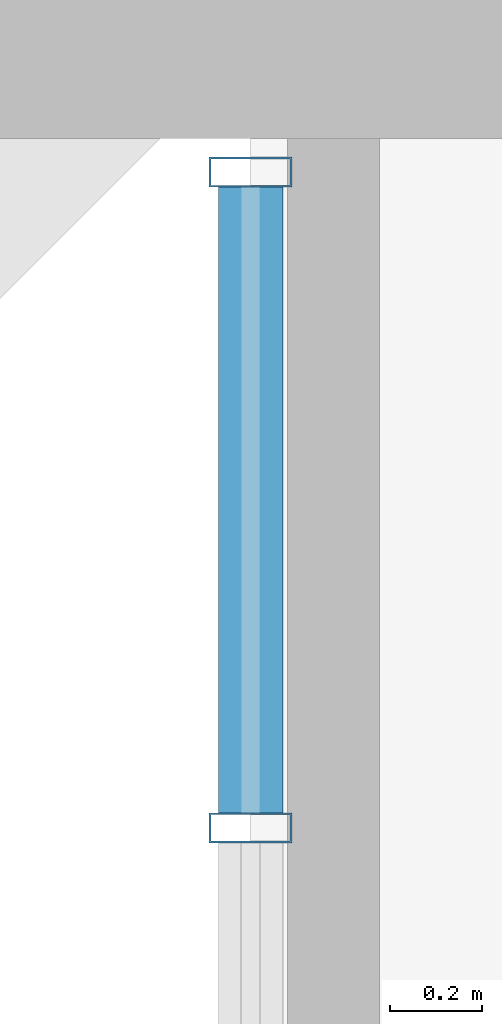
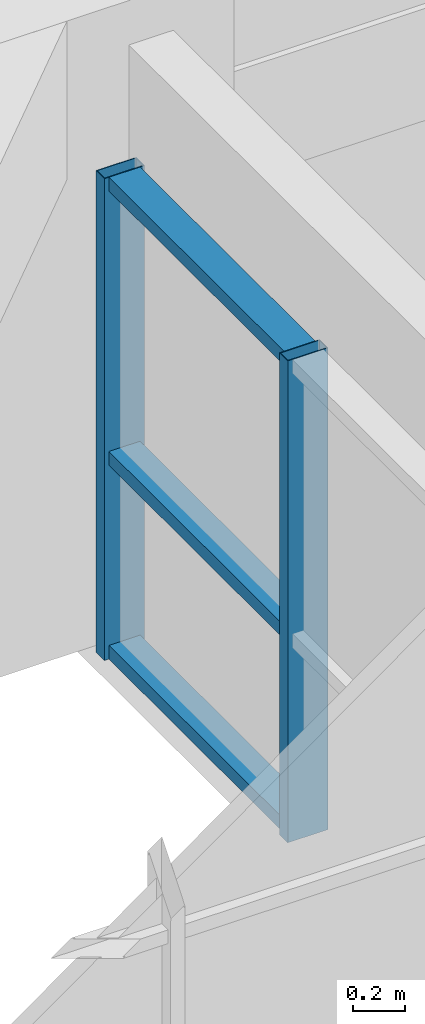
# One storey, part 8 of 27: 5 members, 1 element without a shape of its own.
"""IFC4 building model written with IfcOpenShell, lengths in metres."""

from ifc_helpers import new_model, si_unit, direction, frame, origin, origin_2d, place, context, subcontext, project, spatial, hollow_rectangle, extrude, source, transform, mapped, material, layer, layer_set, material_profile, profile_set, type_object, element, aggregate, save


model = new_model("IFC4")

# Units and contexts
model_context = context("Model", 3, precision=1e-05, world=origin(), true_north=direction((0.0, 1.0)))
body_context = subcontext(model_context, "Body", "Model", "MODEL_VIEW")
ifc_project = project(units=[si_unit("LENGTHUNIT", "METRE"), si_unit("AREAUNIT", "SQUARE_METRE"), si_unit("VOLUMEUNIT", "CUBIC_METRE"), si_unit("PLANEANGLEUNIT", "RADIAN"), si_unit("MASSUNIT", "GRAM", prefix="KILO")], contexts=[model_context])

# Site, building, storey
site_placement = place(None, origin())
site = spatial("IfcSite", under=ifc_project, at=site_placement, CompositionType="ELEMENT")
building_placement = place(site_placement, origin())
building = spatial("IfcBuilding", under=site, at=building_placement, Name="Saelheon Loggia Tower", CompositionType="ELEMENT")
storey_placement = place(building_placement, frame((0.0, 0.0, 34.39990234375)))
storey = spatial("IfcBuildingStorey", under=building, at=storey_placement, Name="L10", CompositionType="ELEMENT", Elevation=34.39990234375)

# Curtain wall, members
ifc_material_1 = material(Name="Thermal-Break Aluminium and Triple Low-E Glass", Category="aluminium")
ifc_layer = layer(ifc_material_1, 0.159912109375)
ifc_layer_set = layer_set([ifc_layer], Name="Thermal-Break Aluminium and Triple Low-E Glass")
curtain_wall_type = type_object("IfcCurtainWallType", Name="CW_TowerLoggiaLow", PredefinedType="NOTDEFINED", material=ifc_layer_set)
curtain_wall_placement = place(storey_placement, origin())
curtain_wall = element("IfcCurtainWall", 1, at=curtain_wall_placement, inside=storey, type_object=curtain_wall_type, Name="L10 Corner Notch Glazing NW1", PredefinedType="NOTDEFINED")
ifc_material_2 = material(Name="Anodised Aluminium 6063-T6", Category="aluminium")
ifc_material_profile_1 = material_profile(ifc_material_2, hollow_rectangle(XDim=0.06494140625, YDim=0.179931640625, WallThickness=0.00390625, at=origin_2d()), Name="RHS-180x65x4")
ifc_profile_set_1 = profile_set([ifc_material_profile_1], Name="Anodised Aluminium 6063-T6")
member_type_1 = type_object("IfcMemberType", Name="CW_TowerLoggiaLow_Mullion", PredefinedType="MULLION", material=ifc_profile_set_1)
shared_shape_1 = source(origin(), body_context, "Body", "SweptSolid", [
    extrude(hollow_rectangle(XDim=0.06494140625, YDim=0.179931640625, WallThickness=0.00390625, at=origin_2d()), origin(), (0.0, 0.0, 1.0), 2.280029296875),
])
member_1_placement = place(storey_placement, frame((15.5, 48.955078125, 0.0), z_axis=(0.0, 0.0, 1.0), x_axis=(0.0, 1.0, 0.0)))
member_1 = element("IfcMember", 2, at=member_1_placement, type_object=member_type_1, Name="CW3 mullion 2", PredefinedType="MULLION", context=body_context, shape_type="MappedRepresentation", body=[
    mapped(shared_shape_1, transform((0.0, 0.0, 0.0), scale=1.0)),
])
member_2_placement = place(storey_placement, frame((15.5, 50.37744140625, 0.0), z_axis=(0.0, 0.0, 1.0), x_axis=(0.0, 1.0, 0.0)))
member_2 = element("IfcMember", 3, at=member_2_placement, type_object=member_type_1, Name="CW3 mullion 3", PredefinedType="MULLION", context=body_context, shape_type="MappedRepresentation", body=[
    mapped(shared_shape_1, transform((0.0, 0.0, 0.0), scale=1.0)),
])
ifc_material_profile_2 = material_profile(ifc_material_2, hollow_rectangle(XDim=0.06494140625, YDim=0.139892578125, WallThickness=0.00390625, at=origin_2d()), Name="RHS-140x65x4")
ifc_profile_set_2 = profile_set([ifc_material_profile_2], Name="Anodised Aluminium 6063-T6")
member_type_2 = type_object("IfcMemberType", Name="CW_TowerLoggiaLow_Transom", PredefinedType="USERDEFINED", material=ifc_profile_set_2)
shared_shape_2 = source(origin(), body_context, "Body", "SweptSolid", [
    extrude(hollow_rectangle(XDim=0.06494140625, YDim=0.139892578125, WallThickness=0.00390625, at=origin_2d()), origin(), (0.0, 0.0, 1.0), 1.357421875),
])
member_3_placement = place(storey_placement, frame((15.5, 48.987548828125, 0.03271484375), z_axis=(0.0, 1.0, 0.0), x_axis=(0.0, 0.0, 1.0)))
member_3 = element("IfcMember", 4, at=member_3_placement, type_object=member_type_2, Name="CW3 transom 2.1", ObjectType="TRANSOM", PredefinedType="USERDEFINED", context=body_context, shape_type="MappedRepresentation", body=[
    mapped(shared_shape_2, transform((0.0, 0.0, 0.0), scale=1.0)),
])
member_4_placement = place(storey_placement, frame((15.5, 48.987548828125, 0.9501953125), z_axis=(0.0, 1.0, 0.0), x_axis=(0.0, 0.0, 1.0)))
member_4 = element("IfcMember", 5, at=member_4_placement, type_object=member_type_2, Name="CW3 transom 2.2", ObjectType="TRANSOM", PredefinedType="USERDEFINED", context=body_context, shape_type="MappedRepresentation", body=[
    mapped(shared_shape_2, transform((0.0, 0.0, 0.0), scale=1.0)),
])
member_5_placement = place(storey_placement, frame((15.5, 48.987548828125, 2.24755859375), z_axis=(0.0, 1.0, 0.0), x_axis=(0.0, 0.0, 1.0)))
member_5 = element("IfcMember", 6, at=member_5_placement, type_object=member_type_2, Name="CW3 transom 2.3", ObjectType="TRANSOM", PredefinedType="USERDEFINED", context=body_context, shape_type="MappedRepresentation", body=[
    mapped(shared_shape_2, transform((0.0, 0.0, 0.0), scale=1.0)),
])
aggregate(curtain_wall, [member_1, member_2, member_3, member_4, member_5])

save(model, "model.ifc")
